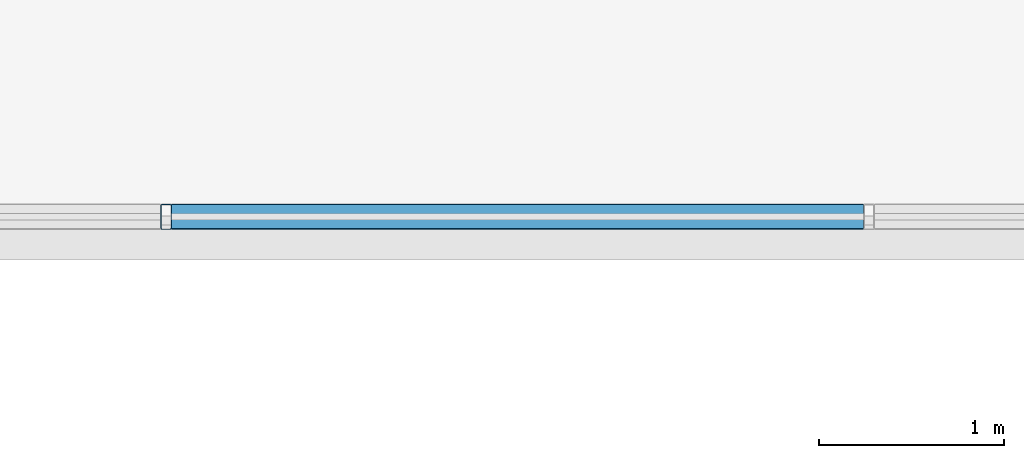
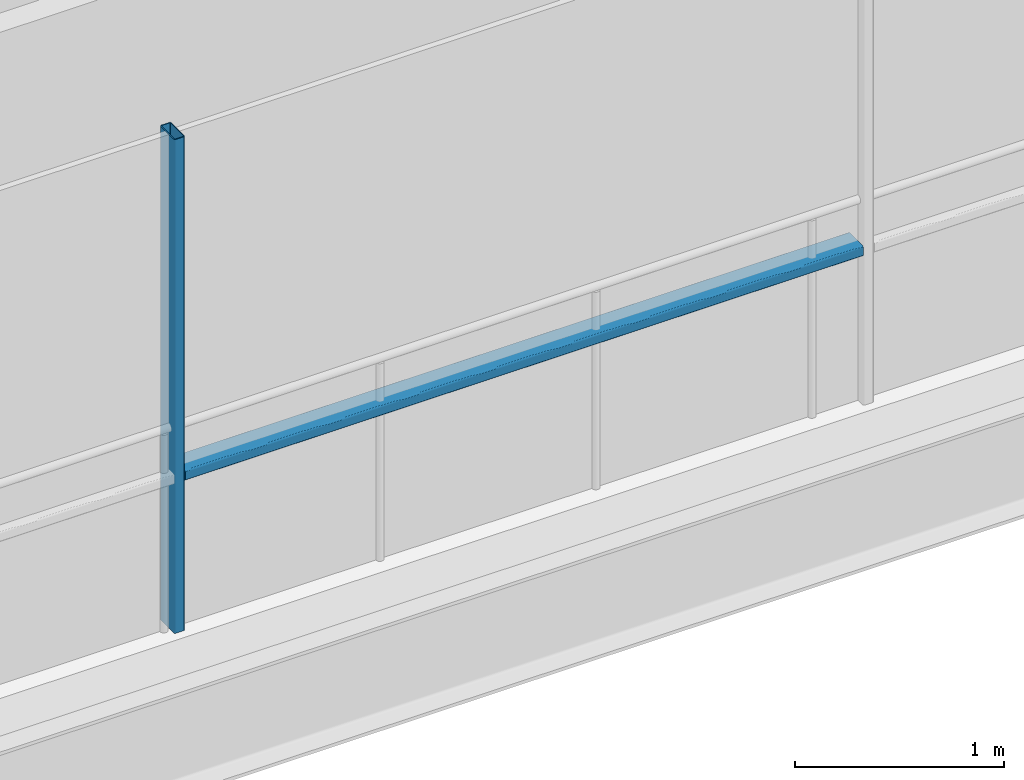
# One storey, part 11 of 41: 2 members, 1 element without a shape of its own.
"""IFC4 building model written with IfcOpenShell, lengths in metres."""

import ifcopenshell
import ifcopenshell.guid

model = None  # the IFC model being written
_history = None  # IfcOwnerHistory: only IFC2X3 demands one
_inside = {}  # id of a spatial element -> (the spatial element, [elements in it])
_under = {}  # id of a project, library or spatial element -> (it, [spatial elements below it])
_declared = {}  # id of a project -> (the project, [libraries it declares])
_typed = {}  # id of a type object -> (the type object, [elements of that type])
_made_of = {}  # id of a material, layer set ... -> (it, [elements and type objects made of it])


def new_model(schema):
    """Start an empty IFC model of exactly this schema.

    Asked for "IFC4X3", IfcOpenShell would pick the latest addendum, in which some entities
    have other attributes; the version numbers below select the first issue.
    IFC2X3 requires an IfcOwnerHistory on every rooted entity: one is made here for all.
    """
    global model, _history
    if schema == "IFC4X3":
        model = ifcopenshell.file(schema_version=(4, 3, 0, 0))
    else:
        model = ifcopenshell.file(schema=schema)
    _inside.clear()
    _under.clear()
    _declared.clear()
    _typed.clear()
    _made_of.clear()
    _history = None
    if model.schema == "IFC2X3":
        org = make("IfcOrganization", Name="unknown")
        user = make(
            "IfcPersonAndOrganization",
            ThePerson=make("IfcPerson", FamilyName="unknown"),
            TheOrganization=org,
        )
        app = make(
            "IfcApplication",
            ApplicationDeveloper=org,
            Version="unknown",
            ApplicationFullName="unknown",
            ApplicationIdentifier="unknown",
        )
        _history = make(
            "IfcOwnerHistory",
            OwningUser=user,
            OwningApplication=app,
            ChangeAction="ADDED",
            CreationDate=0,
        )
    return model


def make(cls, **values):
    """One entity of the class cls with the attributes given. An attribute that is None is left unset."""
    return model.create_entity(
        cls, **{name: value for name, value in values.items() if value is not None}
    )


def rooted(cls, **values):
    """An entity with a GlobalId (a new one), such as an element, a storey or a relation."""
    return make(cls, GlobalId=ifcopenshell.guid.new(), OwnerHistory=_history, **values)


def si_unit(unit_type, name, prefix=None):
    """IfcSIUnit, for example si_unit("LENGTHUNIT", "METRE", prefix="MILLI")."""
    return make("IfcSIUnit", UnitType=unit_type, Prefix=prefix, Name=name)


def assignment(units):
    """IfcUnitAssignment: the units of a project."""
    return None if units is None else make("IfcUnitAssignment", Units=units)


def point(xyz):
    """IfcCartesianPoint."""
    return None if xyz is None else make("IfcCartesianPoint", Coordinates=xyz)


def direction(xyz):
    """IfcDirection."""
    return None if xyz is None else make("IfcDirection", DirectionRatios=xyz)


def frame(location, z_axis=None, x_axis=None):
    """IfcAxis2Placement3D, a coordinate frame: its origin and axes. An axis left out is left unset."""
    return make(
        "IfcAxis2Placement3D",
        Location=point(location),
        Axis=direction(z_axis),
        RefDirection=direction(x_axis),
    )


def frame_2d(location, x_axis=None):
    """IfcAxis2Placement2D, a coordinate frame in the plane: its origin and x axis."""
    return make(
        "IfcAxis2Placement2D", Location=point(location), RefDirection=direction(x_axis)
    )


def origin():
    """The frame at (0, 0, 0) with its axes left unset."""
    return frame((0.0, 0.0, 0.0))


def origin_2d():
    """The frame at (0, 0) in the plane with its x axis left unset."""
    return frame_2d((0.0, 0.0))


def place(relative_to, where):
    """IfcLocalPlacement: puts the frame where relative to a parent placement (None: the world)."""
    return make(
        "IfcLocalPlacement", PlacementRelTo=relative_to, RelativePlacement=where
    )


def context(
    kind, dimensions, precision=None, world=None, true_north=None, identifier=None
):
    """IfcGeometricRepresentationContext, for example the 3D "Model" context."""
    return make(
        "IfcGeometricRepresentationContext",
        ContextIdentifier=identifier,
        ContextType=kind,
        CoordinateSpaceDimension=dimensions,
        Precision=precision,
        WorldCoordinateSystem=world,
        TrueNorth=true_north,
    )


def subcontext(parent, identifier, kind, view, scale=None):
    """IfcGeometricRepresentationSubContext, for example "Body" below "Model"."""
    return make(
        "IfcGeometricRepresentationSubContext",
        ContextIdentifier=identifier,
        ContextType=kind,
        ParentContext=parent,
        TargetScale=scale,
        TargetView=view,
    )


def project(units=None, contexts=None):
    """IfcProject with its units and contexts."""
    return rooted(
        "IfcProject",
        Name="project",
        RepresentationContexts=contexts,
        UnitsInContext=assignment(units),
    )


def spatial(cls, under=None, at=None, **own):
    """A site, building, storey or space (cls), placed at a placement, below another one or the project."""
    s = rooted(cls, ObjectPlacement=at, **own)
    if under is not None:
        _under.setdefault(under.id(), (under, []))[1].append(s)
    return s


def profile(cls, at=None, kind="AREA", **sizes):
    """A parametric profile (cls). Its sizes go by their IFC names, for example OverallWidth=200.0."""
    return make(cls, ProfileType=kind, Position=at, **sizes)


def hollow_rectangle(**sizes):
    """IfcRectangleHollowProfileDef."""
    return profile("IfcRectangleHollowProfileDef", **sizes)


def extrude(swept, where, along, depth):
    """IfcExtrudedAreaSolid: the profile swept, set in the frame where, extruded along a direction by depth."""
    return make(
        "IfcExtrudedAreaSolid",
        SweptArea=swept,
        Position=where,
        ExtrudedDirection=direction(along),
        Depth=depth,
    )


def shape(context_of_items, identifier, shape_type, items):
    """IfcShapeRepresentation: the items that make up one representation, for example the "Body"."""
    return make(
        "IfcShapeRepresentation",
        ContextOfItems=context_of_items,
        RepresentationIdentifier=identifier,
        RepresentationType=shape_type,
        Items=items,
    )


def material(Name=None, Category=None):
    """IfcMaterial."""
    return make("IfcMaterial", Name=Name, Category=Category)


def layer(
    of_material, thickness, ventilated=None, Name=None, Category=None, Priority=None
):
    """IfcMaterialLayer: one layer of a wall or slab, of a material (None: an air gap)."""
    return make(
        "IfcMaterialLayer",
        Material=of_material,
        LayerThickness=thickness,
        IsVentilated=ventilated,
        Name=Name,
        Category=Category,
        Priority=Priority,
    )


def layer_set(layers, Name=None):
    """IfcMaterialLayerSet."""
    return make("IfcMaterialLayerSet", MaterialLayers=layers, LayerSetName=Name)


def material_profile(
    of_material, cross_section, Name=None, Category=None, Priority=None
):
    """IfcMaterialProfile: a cross section and its material."""
    return make(
        "IfcMaterialProfile",
        Name=Name,
        Material=of_material,
        Profile=cross_section,
        Priority=Priority,
        Category=Category,
    )


def profile_set(profiles, Name=None, composite=None):
    """IfcMaterialProfileSet."""
    return make(
        "IfcMaterialProfileSet",
        Name=Name,
        MaterialProfiles=profiles,
        CompositeProfile=composite,
    )


def made_of(thing, what):
    """Note that an element or type object is made of a material, layer set ...; save() writes the relation."""
    if what is not None:
        _made_of.setdefault(what.id(), (what, []))[1].append(thing)
    return thing


def type_object(cls, material=None, **own):
    """A type object (cls), such as IfcWallType, which elements share."""
    return made_of(rooted(cls, **own), material)


def element(
    cls,
    number,
    at=None,
    inside=None,
    cuts=None,
    type_object=None,
    material=None,
    context=None,
    identifier="Body",
    shape_type=None,
    held_by="IfcProductDefinitionShape",
    body=None,
    shapes=None,
    **own,
):
    """One element of the class cls, such as IfcWall. Its Tag is "e" and its number.

    at: its placement. inside: the storey or other place that contains it. cuts: it is an
    opening in that element (IfcRelVoidsElement). A single representation is given by context,
    identifier, shape_type and body (its items); several are given by shapes. held_by: the class
    of the entity that holds the representations. save() writes the other relations.
    """
    e = rooted(cls, Tag="e%d" % number, ObjectPlacement=at, **own)
    if body is not None:
        shapes = [shape(context, identifier, shape_type, body)]
    if shapes is not None:
        e.Representation = make(held_by, Representations=shapes)
    if inside is not None:
        _inside.setdefault(inside.id(), (inside, []))[1].append(e)
    if cuts is not None:
        rooted(
            "IfcRelVoidsElement", RelatingBuildingElement=cuts, RelatedOpeningElement=e
        )
    if type_object is not None:
        _typed.setdefault(type_object.id(), (type_object, []))[1].append(e)
    return made_of(e, material)


def aggregate(whole, parts):
    """IfcRelAggregates: a whole, such as a stair, and the parts it consists of."""
    return rooted("IfcRelAggregates", RelatingObject=whole, RelatedObjects=parts)


def save(model, path):
    """Write the relations noted so far, then the file.

    IfcRelAggregates (storeys below a building ...), IfcRelContainedInSpatialStructure (elements
    in a storey), IfcRelDefinesByType, IfcRelAssociatesMaterial and IfcRelDeclares: one each for
    every whole, place, type object, material and project.
    """
    for whole, parts in _under.values():
        aggregate(whole, parts)
    for where, things in _inside.values():
        rooted(
            "IfcRelContainedInSpatialStructure",
            RelatedElements=things,
            RelatingStructure=where,
        )
    for kind, things in _typed.values():
        rooted("IfcRelDefinesByType", RelatedObjects=things, RelatingType=kind)
    for what, things in _made_of.values():
        rooted("IfcRelAssociatesMaterial", RelatedObjects=things, RelatingMaterial=what)
    for by, libraries in _declared.values():
        rooted("IfcRelDeclares", RelatingContext=by, RelatedDefinitions=libraries)
    model.write(path)


model = new_model("IFC4")

# Units and contexts
model_context = context("Model", 3, precision=1e-05, world=origin(), true_north=direction((0.0, 1.0)))
body_context = subcontext(model_context, "Body", "Model", "MODEL_VIEW")
ifc_project = project(units=[si_unit("LENGTHUNIT", "METRE"), si_unit("AREAUNIT", "SQUARE_METRE"), si_unit("VOLUMEUNIT", "CUBIC_METRE"), si_unit("PLANEANGLEUNIT", "RADIAN"), si_unit("MASSUNIT", "GRAM", prefix="KILO")], contexts=[model_context])

# Site, building, storey
site_placement = place(None, origin())
site = spatial("IfcSite", under=ifc_project, at=site_placement, CompositionType="ELEMENT")
building_placement = place(site_placement, origin())
building = spatial("IfcBuilding", under=site, at=building_placement, Name="Brevholm Reach", CompositionType="ELEMENT")
storey_placement = place(building_placement, frame((0.0, 0.0, 106.60009765625)))
storey = spatial("IfcBuildingStorey", under=building, at=storey_placement, Name="L31", CompositionType="ELEMENT", Elevation=106.60009765625)

# Curtain wall, members
ifc_material_1 = material(Name="Dark Anodised Aluminium 6063-T6 and Solar-Control Glass", Category="aluminium")
ifc_layer = layer(ifc_material_1, 0.139892578125)
ifc_layer_set = layer_set([ifc_layer], Name="Dark Anodised Aluminium 6063-T6 and Solar-Control Glass")
curtain_wall_type = type_object("IfcCurtainWallType", Name="CW-02", PredefinedType="NOTDEFINED", material=ifc_layer_set)
curtain_wall_placement = place(storey_placement, origin())
curtain_wall = element("IfcCurtainWall", 1, at=curtain_wall_placement, inside=storey, type_object=curtain_wall_type, Name="L31 Curtain Wall CW-02", PredefinedType="NOTDEFINED")
ifc_material_2 = material(Name="Dark Anodised Aluminium 6063-T6", Category="aluminium")
ifc_material_profile_1 = material_profile(ifc_material_2, hollow_rectangle(XDim=0.06005859375, YDim=0.139892578125, WallThickness=0.0048828125, InnerFilletRadius=0.0048828125, OuterFilletRadius=0.010009765625, at=origin_2d()), Name="RHS 140x60x5")
ifc_profile_set_1 = profile_set([ifc_material_profile_1], Name="Dark Anodised Aluminium 6063-T6")
member_type_1 = type_object("IfcMemberType", Name="CWM-140", PredefinedType="MULLION", material=ifc_profile_set_1)
member_1_placement = place(storey_placement, frame((30.050048828125, 26.6201171875, 0.0), z_axis=(0.0, 0.0, 1.0), x_axis=(-1.0, 0.0, 0.0)))
member_1 = element("IfcMember", 2, at=member_1_placement, type_object=member_type_1, Name="CM-140 Mullion 3", PredefinedType="MULLION", context=body_context, shape_type="SweptSolid", body=[
    extrude(hollow_rectangle(XDim=0.06005859375, YDim=0.139892578125, WallThickness=0.0048828125, InnerFilletRadius=0.0048828125, OuterFilletRadius=0.010009765625, at=origin_2d()), origin(), (0.0, 0.0, 1.0), 2.8798828125),
])
ifc_material_3 = material(Name="Dark Anodised Aluminium 6063-T6", Category="aluminium")
ifc_material_profile_2 = material_profile(ifc_material_3, hollow_rectangle(XDim=0.06005859375, YDim=0.139892578125, WallThickness=0.0048828125, InnerFilletRadius=0.0048828125, OuterFilletRadius=0.010009765625, at=origin_2d()), Name="RHS 140x60x5")
ifc_profile_set_2 = profile_set([ifc_material_profile_2], Name="Dark Anodised Aluminium 6063-T6")
member_type_2 = type_object("IfcMemberType", Name="CWT-140", PredefinedType="NOTDEFINED", material=ifc_profile_set_2)
member_2_placement = place(storey_placement, frame((33.820068359375, 26.6201171875, 0.89990234375), z_axis=(-1.0, 0.0, 0.0), x_axis=(0.0, 0.0, 1.0)))
member_2 = element("IfcMember", 3, at=member_2_placement, type_object=member_type_2, Name="CT-140 Transom 2.1", ObjectType="TRANSOM", PredefinedType="USERDEFINED", context=body_context, shape_type="SweptSolid", body=[
    extrude(hollow_rectangle(XDim=0.06005859375, YDim=0.139892578125, WallThickness=0.0048828125, InnerFilletRadius=0.0048828125, OuterFilletRadius=0.010009765625, at=origin_2d()), origin(), (0.0, 0.0, 1.0), 3.739990234375),
])
aggregate(curtain_wall, [member_1, member_2])

save(model, "model.ifc")
